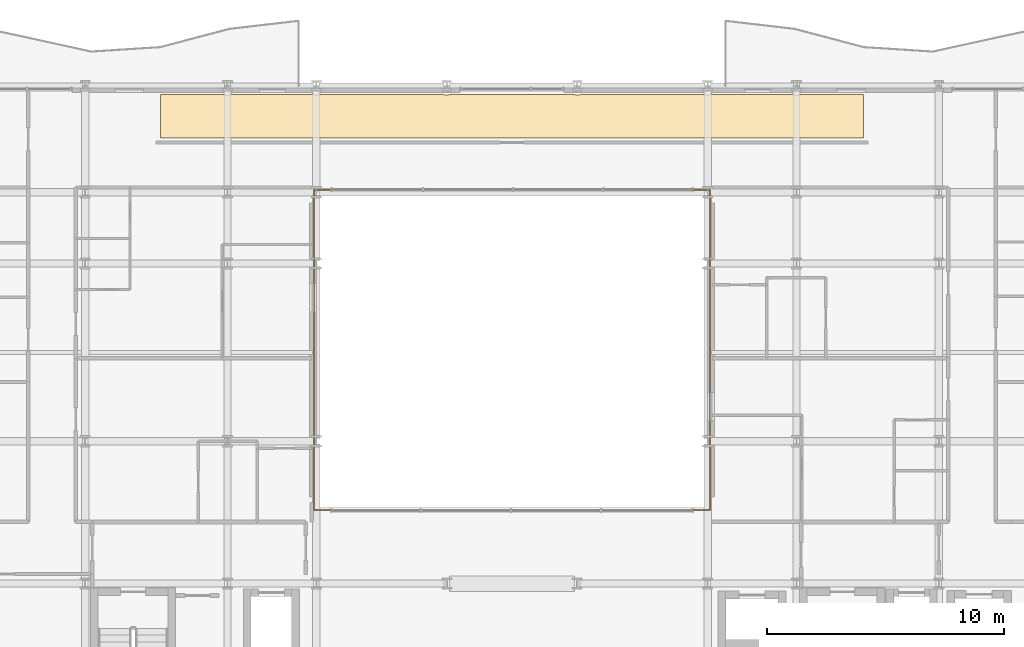
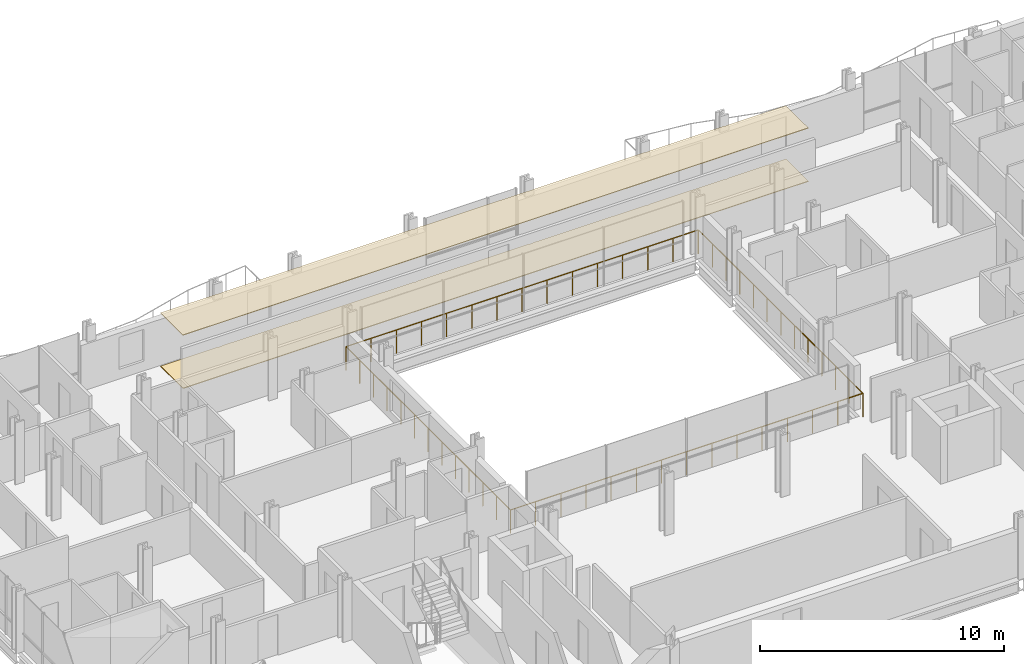
# One storey, part 39 of 41: 2 coverings, 2 railings.
"""IFC4 building model written with IfcOpenShell, lengths in metres."""

from ifc_helpers import new_model, si_unit, direction, frame, origin, origin_2d, place, context, subcontext, project, spatial, polyline, circle, outline, extrude, material, layer, layer_set, type_object, element, save


model = new_model("IFC4")

# Units and contexts
model_context = context("Model", 3, precision=1e-05, world=origin(), true_north=direction((0.0, 1.0)))
body_context = subcontext(model_context, "Body", "Model", "MODEL_VIEW")
ifc_project = project(units=[si_unit("LENGTHUNIT", "METRE"), si_unit("AREAUNIT", "SQUARE_METRE"), si_unit("VOLUMEUNIT", "CUBIC_METRE"), si_unit("PLANEANGLEUNIT", "RADIAN"), si_unit("MASSUNIT", "GRAM", prefix="KILO")], contexts=[model_context])

# Site, building, storey
site_placement = place(None, origin())
site = spatial("IfcSite", under=ifc_project, at=site_placement, CompositionType="ELEMENT")
building_placement = place(site_placement, origin())
building = spatial("IfcBuilding", under=site, at=building_placement, Name="Brevholm Reach", CompositionType="ELEMENT")
storey_placement = place(building_placement, frame((0.0, 0.0, 49.699951171875)))
storey = spatial("IfcBuildingStorey", under=building, at=storey_placement, Name="L13", CompositionType="ELEMENT", Elevation=49.699951171875)

# Coverings
ifc_material_1 = material(Name="Moisture-Resistant Skimmed Gypsum Plasterboard Ceiling", Category="gypsum")
ifc_layer_1 = layer(ifc_material_1, 0.030029296875)
ifc_layer_set_1 = layer_set([ifc_layer_1], Name="Moisture-Resistant Skimmed Gypsum Plasterboard Ceiling")
covering_type_1 = type_object("IfcCoveringType", Name="COV-CLG-GYP", PredefinedType="CEILING", material=ifc_layer_set_1)
covering_1_placement = place(storey_placement, frame((0.0, 0.0, 2.670166015625)))
element("IfcCovering", 1, at=covering_1_placement, inside=storey, type_object=covering_type_1, Name="L13 Suspended Ceiling L13-67", PredefinedType="CEILING", context=body_context, shape_type="SweptSolid", body=[
    extrude(outline(polyline([(15.179931640625, 30.6201171875), (17.876220703125, 30.6201171875), (17.8837890625, 30.6171875), (17.922119140625, 30.607666015625), (17.960693359375, 30.601806640625), (18.0, 30.60009765625), (18.039306640625, 30.601806640625), (18.077880859375, 30.607666015625), (18.1162109375, 30.6171875), (18.123779296875, 30.6201171875), (21.626220703125, 30.6201171875), (21.6337890625, 30.6171875), (21.672119140625, 30.607666015625), (21.710693359375, 30.601806640625), (21.75, 30.60009765625), (21.789306640625, 30.601806640625), (21.827880859375, 30.607666015625), (21.8662109375, 30.6171875), (21.873779296875, 30.6201171875), (27.126220703125, 30.6201171875), (27.1337890625, 30.6171875), (27.172119140625, 30.607666015625), (27.210693359375, 30.601806640625), (27.25, 30.60009765625), (27.289306640625, 30.601806640625), (27.327880859375, 30.607666015625), (27.3662109375, 30.6171875), (27.373779296875, 30.6201171875), (32.626220703125, 30.6201171875), (32.6337890625, 30.6171875), (32.672119140625, 30.607666015625), (32.710693359375, 30.601806640625), (32.75, 30.60009765625), (32.789306640625, 30.601806640625), (32.827880859375, 30.607666015625), (32.8662109375, 30.6171875), (32.873779296875, 30.6201171875), (38.126220703125, 30.6201171875), (38.1337890625, 30.6171875), (38.172119140625, 30.607666015625), (38.210693359375, 30.601806640625), (38.25, 30.60009765625), (38.289306640625, 30.601806640625), (38.327880859375, 30.607666015625), (38.3662109375, 30.6171875), (38.373779296875, 30.6201171875), (41.876220703125, 30.6201171875), (41.8837890625, 30.6171875), (41.922119140625, 30.607666015625), (41.960693359375, 30.601806640625), (42.0, 30.60009765625), (42.039306640625, 30.601806640625), (42.077880859375, 30.607666015625), (42.1162109375, 30.6171875), (42.123779296875, 30.6201171875), (44.820068359375, 30.6201171875), (44.820068359375, 28.783935546875), (15.179931640625, 28.783935546875), (15.179931640625, 30.6201171875)])), origin(), (0.0, 0.0, 1.0), 0.02978515625),
])
ifc_material_2 = material(Name="Honed Portland-Aggregate Resin Terrazzo Flooring", Category="concrete")
ifc_layer_2 = layer(ifc_material_2, 0.031982421875)
ifc_layer_set_2 = layer_set([ifc_layer_2], Name="Honed Portland-Aggregate Resin Terrazzo Flooring")
covering_type_2 = type_object("IfcCoveringType", Name="COV-FLR-TRZ", PredefinedType="FLOORING", material=ifc_layer_set_2)
covering_2_placement = place(storey_placement, origin())
element("IfcCovering", 2, at=covering_2_placement, inside=storey, type_object=covering_type_2, Name="L13 Floor Finish L13-67", PredefinedType="FLOORING", context=body_context, shape_type="SweptSolid", body=[
    extrude(outline(polyline([(15.179931640625, 30.6201171875), (17.876220703125, 30.6201171875), (17.8837890625, 30.6171875), (17.922119140625, 30.607666015625), (17.960693359375, 30.601806640625), (18.0, 30.60009765625), (18.039306640625, 30.601806640625), (18.077880859375, 30.607666015625), (18.1162109375, 30.6171875), (18.123779296875, 30.6201171875), (21.626220703125, 30.6201171875), (21.6337890625, 30.6171875), (21.672119140625, 30.607666015625), (21.710693359375, 30.601806640625), (21.75, 30.60009765625), (21.789306640625, 30.601806640625), (21.827880859375, 30.607666015625), (21.8662109375, 30.6171875), (21.873779296875, 30.6201171875), (27.126220703125, 30.6201171875), (27.1337890625, 30.6171875), (27.172119140625, 30.607666015625), (27.210693359375, 30.601806640625), (27.25, 30.60009765625), (27.289306640625, 30.601806640625), (27.327880859375, 30.607666015625), (27.3662109375, 30.6171875), (27.373779296875, 30.6201171875), (32.626220703125, 30.6201171875), (32.6337890625, 30.6171875), (32.672119140625, 30.607666015625), (32.710693359375, 30.601806640625), (32.75, 30.60009765625), (32.789306640625, 30.601806640625), (32.827880859375, 30.607666015625), (32.8662109375, 30.6171875), (32.873779296875, 30.6201171875), (38.126220703125, 30.6201171875), (38.1337890625, 30.6171875), (38.172119140625, 30.607666015625), (38.210693359375, 30.601806640625), (38.25, 30.60009765625), (38.289306640625, 30.601806640625), (38.327880859375, 30.607666015625), (38.3662109375, 30.6171875), (38.373779296875, 30.6201171875), (41.876220703125, 30.6201171875), (41.8837890625, 30.6171875), (41.922119140625, 30.607666015625), (41.960693359375, 30.601806640625), (42.0, 30.60009765625), (42.039306640625, 30.601806640625), (42.077880859375, 30.607666015625), (42.1162109375, 30.6171875), (42.123779296875, 30.6201171875), (44.820068359375, 30.6201171875), (44.820068359375, 28.783935546875), (15.179931640625, 28.783935546875), (15.179931640625, 30.6201171875)])), origin(), (0.0, 0.0, 1.0), 0.031982421875),
])

# Railings
ifc_material_3 = material(Name="Brushed Stainless Steel EN 1.4401 and Laminated Glass", Category="steel")
railing_type = type_object("IfcRailingType", Name="RAL-TERR-1200", PredefinedType="BALUSTRADE", material=ifc_material_3)
railing_1_placement = place(storey_placement, frame((21.64990234375, 13.10009765625, 0.0)))
element("IfcRailing", 3, at=railing_1_placement, inside=storey, type_object=railing_type, Name="L13 Guard Balustrade RAL-L13-AT-VOID-SW", PredefinedType="BALUSTRADE", context=body_context, shape_type="SweptSolid", body=[
    extrude(circle(Radius=0.02392578125, at=origin_2d()), frame((0.0, 0.0, 1.17578125), z_axis=(1.0, 0.0, 0.0), x_axis=(0.0, 1.0, 0.0)), (0.0, 0.0, 1.0), 16.7001953125),
    extrude(circle(Radius=0.02392578125, at=origin_2d()), frame((16.7001953125, 0.0, 1.17578125), z_axis=(0.0, 1.0, 0.0), x_axis=(-1.0, 0.0, 0.0)), (0.0, 0.0, 1.0), 13.47998046875),
    extrude(circle(Radius=0.02099609375, at=origin_2d()), origin(), (0.0, 0.0, 1.0), 1.15185546875),
    extrude(circle(Radius=0.02099609375, at=origin_2d()), frame((1.19287109375, 0.0, 0.0)), (0.0, 0.0, 1.0), 1.15185546875),
    extrude(circle(Radius=0.02099609375, at=origin_2d()), frame((2.3857421875, 0.0, 0.0)), (0.0, 0.0, 1.0), 1.15185546875),
    extrude(circle(Radius=0.02099609375, at=origin_2d()), frame((3.57861328125, 0.0, 0.0)), (0.0, 0.0, 1.0), 1.15185546875),
    extrude(circle(Radius=0.02099609375, at=origin_2d()), frame((4.771484375, 0.0, 0.0)), (0.0, 0.0, 1.0), 1.15185546875),
    extrude(circle(Radius=0.02099609375, at=origin_2d()), frame((5.96435546875, 0.0, 0.0)), (0.0, 0.0, 1.0), 1.15185546875),
    extrude(circle(Radius=0.02099609375, at=origin_2d()), frame((7.1572265625, 0.0, 0.0)), (0.0, 0.0, 1.0), 1.15185546875),
    extrude(circle(Radius=0.02099609375, at=origin_2d()), frame((8.35009765625, 0.0, 0.0)), (0.0, 0.0, 1.0), 1.15185546875),
    extrude(circle(Radius=0.02099609375, at=origin_2d()), frame((9.54296875, 0.0, 0.0)), (0.0, 0.0, 1.0), 1.15185546875),
    extrude(circle(Radius=0.02099609375, at=origin_2d()), frame((10.73583984375, 0.0, 0.0)), (0.0, 0.0, 1.0), 1.15185546875),
    extrude(circle(Radius=0.02099609375, at=origin_2d()), frame((11.9287109375, 0.0, 0.0)), (0.0, 0.0, 1.0), 1.15185546875),
    extrude(circle(Radius=0.02099609375, at=origin_2d()), frame((13.12158203125, 0.0, 0.0)), (0.0, 0.0, 1.0), 1.15185546875),
    extrude(circle(Radius=0.02099609375, at=origin_2d()), frame((14.314453125, 0.0, 0.0)), (0.0, 0.0, 1.0), 1.15185546875),
    extrude(circle(Radius=0.02099609375, at=origin_2d()), frame((15.50732421875, 0.0, 0.0)), (0.0, 0.0, 1.0), 1.15185546875),
    extrude(circle(Radius=0.02099609375, at=origin_2d()), frame((16.7001953125, 0.0, 0.0)), (0.0, 0.0, 1.0), 1.15185546875),
    extrude(circle(Radius=0.02099609375, at=origin_2d()), frame((16.7001953125, 1.123291015625, 0.0)), (0.0, 0.0, 1.0), 1.15185546875),
    extrude(circle(Radius=0.02099609375, at=origin_2d()), frame((16.7001953125, 2.24658203125, 0.0)), (0.0, 0.0, 1.0), 1.15185546875),
    extrude(circle(Radius=0.02099609375, at=origin_2d()), frame((16.7001953125, 3.3701171875, 0.0)), (0.0, 0.0, 1.0), 1.15185546875),
    extrude(circle(Radius=0.02099609375, at=origin_2d()), frame((16.7001953125, 4.493408203125, 0.0)), (0.0, 0.0, 1.0), 1.15185546875),
    extrude(circle(Radius=0.02099609375, at=origin_2d()), frame((16.7001953125, 5.61669921875, 0.0)), (0.0, 0.0, 1.0), 1.15185546875),
    extrude(circle(Radius=0.02099609375, at=origin_2d()), frame((16.7001953125, 6.739990234375, 0.0)), (0.0, 0.0, 1.0), 1.15185546875),
    extrude(circle(Radius=0.02099609375, at=origin_2d()), frame((16.7001953125, 7.86328125, 0.0)), (0.0, 0.0, 1.0), 1.15185546875),
    extrude(circle(Radius=0.02099609375, at=origin_2d()), frame((16.7001953125, 8.986572265625, 0.0)), (0.0, 0.0, 1.0), 1.15185546875),
    extrude(circle(Radius=0.02099609375, at=origin_2d()), frame((16.7001953125, 10.10986328125, 0.0)), (0.0, 0.0, 1.0), 1.15185546875),
    extrude(circle(Radius=0.02099609375, at=origin_2d()), frame((16.7001953125, 11.2333984375, 0.0)), (0.0, 0.0, 1.0), 1.15185546875),
    extrude(circle(Radius=0.02099609375, at=origin_2d()), frame((16.7001953125, 12.356689453125, 0.0)), (0.0, 0.0, 1.0), 1.15185546875),
    extrude(circle(Radius=0.02099609375, at=origin_2d()), frame((16.7001953125, 13.47998046875, 0.0)), (0.0, 0.0, 1.0), 1.15185546875),
])
railing_2_placement = place(storey_placement, frame((38.330078125, 26.60009765625, 0.0)))
element("IfcRailing", 4, at=railing_2_placement, inside=storey, type_object=railing_type, Name="L13 Guard Balustrade RAL-L13-AT-VOID-NE", PredefinedType="BALUSTRADE", context=body_context, shape_type="SweptSolid", body=[
    extrude(circle(Radius=0.02392578125, at=origin_2d()), frame((0.0, 0.0, 1.17578125), z_axis=(-1.0, 0.0, 0.0), x_axis=(0.0, -1.0, 0.0)), (0.0, 0.0, 1.0), 16.68017578125),
    extrude(circle(Radius=0.02392578125, at=origin_2d()), frame((-16.68017578125, 0.0, 1.17578125), z_axis=(0.0, -1.0, 0.0), x_axis=(1.0, 0.0, 0.0)), (0.0, 0.0, 1.0), 13.47998046875),
    extrude(circle(Radius=0.02099609375, at=origin_2d()), origin(), (0.0, 0.0, 1.0), 1.15185546875),
    extrude(circle(Radius=0.02099609375, at=origin_2d()), frame((-1.19140625, 0.0, 0.0)), (0.0, 0.0, 1.0), 1.15185546875),
    extrude(circle(Radius=0.02099609375, at=origin_2d()), frame((-2.3828125, 0.0, 0.0)), (0.0, 0.0, 1.0), 1.15185546875),
    extrude(circle(Radius=0.02099609375, at=origin_2d()), frame((-3.57421875, 0.0, 0.0)), (0.0, 0.0, 1.0), 1.15185546875),
    extrude(circle(Radius=0.02099609375, at=origin_2d()), frame((-4.765869140625, 0.0, 0.0)), (0.0, 0.0, 1.0), 1.15185546875),
    extrude(circle(Radius=0.02099609375, at=origin_2d()), frame((-5.957275390625, 0.0, 0.0)), (0.0, 0.0, 1.0), 1.15185546875),
    extrude(circle(Radius=0.02099609375, at=origin_2d()), frame((-7.148681640625, 0.0, 0.0)), (0.0, 0.0, 1.0), 1.15185546875),
    extrude(circle(Radius=0.02099609375, at=origin_2d()), frame((-8.340087890625, 0.0, 0.0)), (0.0, 0.0, 1.0), 1.15185546875),
    extrude(circle(Radius=0.02099609375, at=origin_2d()), frame((-9.531494140625, 0.0, 0.0)), (0.0, 0.0, 1.0), 1.15185546875),
    extrude(circle(Radius=0.02099609375, at=origin_2d()), frame((-10.722900390625, 0.0, 0.0)), (0.0, 0.0, 1.0), 1.15185546875),
    extrude(circle(Radius=0.02099609375, at=origin_2d()), frame((-11.914306640625, 0.0, 0.0)), (0.0, 0.0, 1.0), 1.15185546875),
    extrude(circle(Radius=0.02099609375, at=origin_2d()), frame((-13.10595703125, 0.0, 0.0)), (0.0, 0.0, 1.0), 1.15185546875),
    extrude(circle(Radius=0.02099609375, at=origin_2d()), frame((-14.29736328125, 0.0, 0.0)), (0.0, 0.0, 1.0), 1.15185546875),
    extrude(circle(Radius=0.02099609375, at=origin_2d()), frame((-15.48876953125, 0.0, 0.0)), (0.0, 0.0, 1.0), 1.15185546875),
    extrude(circle(Radius=0.02099609375, at=origin_2d()), frame((-16.68017578125, 0.0, 0.0)), (0.0, 0.0, 1.0), 1.15185546875),
    extrude(circle(Radius=0.02099609375, at=origin_2d()), frame((-16.68017578125, -1.123291015625, 0.0)), (0.0, 0.0, 1.0), 1.15185546875),
    extrude(circle(Radius=0.02099609375, at=origin_2d()), frame((-16.68017578125, -2.24658203125, 0.0)), (0.0, 0.0, 1.0), 1.15185546875),
    extrude(circle(Radius=0.02099609375, at=origin_2d()), frame((-16.68017578125, -3.3701171875, 0.0)), (0.0, 0.0, 1.0), 1.15185546875),
    extrude(circle(Radius=0.02099609375, at=origin_2d()), frame((-16.68017578125, -4.493408203125, 0.0)), (0.0, 0.0, 1.0), 1.15185546875),
    extrude(circle(Radius=0.02099609375, at=origin_2d()), frame((-16.68017578125, -5.61669921875, 0.0)), (0.0, 0.0, 1.0), 1.15185546875),
    extrude(circle(Radius=0.02099609375, at=origin_2d()), frame((-16.68017578125, -6.739990234375, 0.0)), (0.0, 0.0, 1.0), 1.15185546875),
    extrude(circle(Radius=0.02099609375, at=origin_2d()), frame((-16.68017578125, -7.86328125, 0.0)), (0.0, 0.0, 1.0), 1.15185546875),
    extrude(circle(Radius=0.02099609375, at=origin_2d()), frame((-16.68017578125, -8.986572265625, 0.0)), (0.0, 0.0, 1.0), 1.15185546875),
    extrude(circle(Radius=0.02099609375, at=origin_2d()), frame((-16.68017578125, -10.10986328125, 0.0)), (0.0, 0.0, 1.0), 1.15185546875),
    extrude(circle(Radius=0.02099609375, at=origin_2d()), frame((-16.68017578125, -11.2333984375, 0.0)), (0.0, 0.0, 1.0), 1.15185546875),
    extrude(circle(Radius=0.02099609375, at=origin_2d()), frame((-16.68017578125, -12.356689453125, 0.0)), (0.0, 0.0, 1.0), 1.15185546875),
    extrude(circle(Radius=0.02099609375, at=origin_2d()), frame((-16.68017578125, -13.47998046875, 0.0)), (0.0, 0.0, 1.0), 1.15185546875),
])

save(model, "model.ifc")
